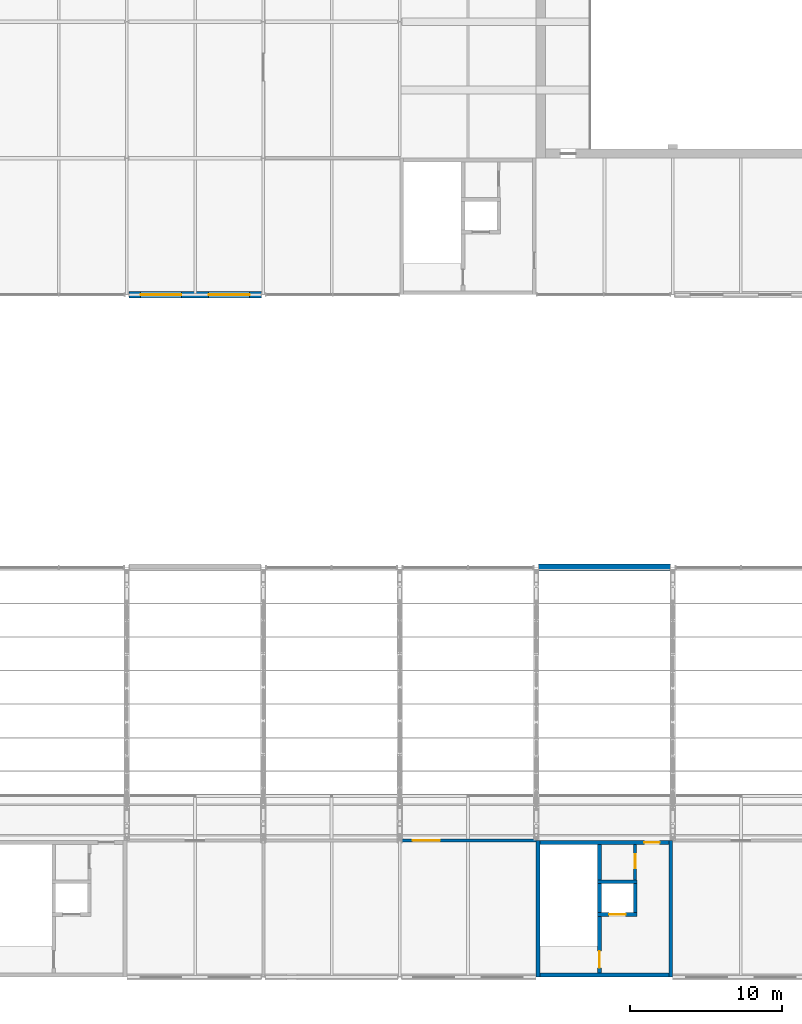
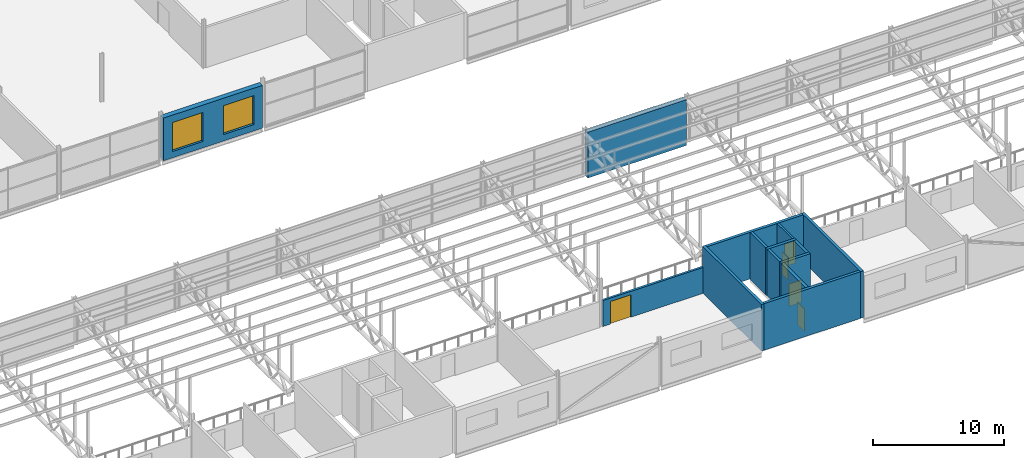
# One storey, part 116 of 138: 12 walls, 5 doors, 2 windows, 7 openings.
"""IFC4 building model written with IfcOpenShell, lengths in metres."""

from ifc_helpers import new_model, si_unit, direction, frame, frame_2d, origin, place, context, subcontext, project, spatial, rectangle, extrude, material, layer, layer_set, type_object, element, fill, save


model = new_model("IFC4")

# Units and contexts
model_context = context("Model", 3, precision=1e-05, world=origin(), true_north=direction((0.0, 1.0)))
body_context = subcontext(model_context, "Body", "Model", "MODEL_VIEW")
ifc_project = project(units=[si_unit("LENGTHUNIT", "METRE"), si_unit("AREAUNIT", "SQUARE_METRE"), si_unit("VOLUMEUNIT", "CUBIC_METRE"), si_unit("PLANEANGLEUNIT", "RADIAN"), si_unit("MASSUNIT", "GRAM", prefix="KILO")], contexts=[model_context])

# Site, building, storey
site_placement = place(None, origin())
site = spatial("IfcSite", under=ifc_project, at=site_placement, CompositionType="ELEMENT")
building_placement = place(site_placement, origin())
building = spatial("IfcBuilding", under=site, at=building_placement, Name="Corbel Yard City Hall", CompositionType="ELEMENT")
storey_placement = place(building_placement, frame((0.0, 0.0, 10.5)))
storey = spatial("IfcBuildingStorey", under=building, at=storey_placement, Name="L02", CompositionType="ELEMENT", Elevation=10.5)

# Walls
ifc_material_1 = material(Name="Concrete N50 (50 MPa)", Category="concrete")
ifc_layer_1 = layer(ifc_material_1, 0.25)
ifc_layer_set_1 = layer_set([ifc_layer_1], Name="Concrete N50 (50 MPa)")
wall_type_1 = type_object("IfcWallType", Name="Core cell wall 250", PredefinedType="SHEAR", material=ifc_layer_set_1)
for number, where, z_axis, x_axis, name in (
    (1, (117.125, 0.0, 0.0), (0.0, 0.0, 1.0), (0.0, 1.0, 0.0), "Core PC-S3 west wall"),
    (2, (125.875, 0.0, 0.0), (0.0, 0.0, 1.0), (0.0, 1.0, 0.0), "Core PC-S3 east wall"),
):
    element("IfcWall", number, at=place(storey_placement, frame(where, z_axis=z_axis, x_axis=x_axis)), inside=storey, type_object=wall_type_1, Name=name, PredefinedType="SHEAR", context=body_context, shape_type="SweptSolid", body=[
        extrude(rectangle(XDim=9.0, YDim=0.25, at=frame_2d((4.5, 0.0))), origin(), (0.0, 0.0, 1.0), 4.35009765625),
    ])
wall_1_placement = place(storey_placement, frame((117.25, 0.125, 0.0), z_axis=(0.0, 0.0, 1.0), x_axis=(1.0, 0.0, 0.0)))
element("IfcWall", 3, at=wall_1_placement, inside=storey, type_object=wall_type_1, Name="Core PC-S3 south wall", PredefinedType="SHEAR", context=body_context, shape_type="SweptSolid", body=[
    extrude(rectangle(XDim=8.5, YDim=0.25, at=frame_2d((4.25, 0.0))), origin(), (0.0, 0.0, 1.0), 4.35009765625),
])

# Wall, opening, door
wall_2_placement = place(storey_placement, frame((117.25, 8.875, 0.0), z_axis=(0.0, 0.0, 1.0), x_axis=(1.0, 0.0, 0.0)))
wall_2 = element("IfcWall", 4, at=wall_2_placement, inside=storey, type_object=wall_type_1, Name="Core PC-S3 north wall", PredefinedType="SHEAR", context=body_context, shape_type="SweptSolid", body=[
    extrude(rectangle(XDim=8.5, YDim=0.25, at=frame_2d((4.25, 0.0))), origin(), (0.0, 0.0, 1.0), 4.35009765625),
])
opening_1_placement = place(wall_2_placement, frame((6.887451171875, 0.0, 0.0)))
opening_1 = element("IfcOpeningElement", 5, at=opening_1_placement, cuts=wall_2, Name="Opening L02-024", PredefinedType="OPENING", context=body_context, shape_type="SweptSolid", body=[
    extrude(rectangle(XDim=1.0, YDim=2.10009765625, at=frame_2d((0.5, 1.050048828125))), frame((0.0, 0.135009765625, 0.0), z_axis=(0.0, -1.0, 0.0), x_axis=(1.0, 0.0, 0.0)), (0.0, 0.0, 1.0), 0.27001953125),
])
ifc_material_2 = material(Name="Steel Grade G250", Category="steel")
door_type_1 = type_object("IfcDoorType", Name="FS1", OperationType="SINGLE_SWING_LEFT", PredefinedType="DOOR", material=ifc_material_2)
door_1_placement = place(opening_1_placement, frame((1.0, 0.0, 0.0), z_axis=(0.0, 0.0, 1.0), x_axis=(-1.0, 0.0, 0.0)))
door_1 = element("IfcDoor", 6, at=door_1_placement, inside=storey, type_object=door_type_1, Name="Door Lift Lobby", OperationType="SINGLE_SWING_RIGHT", OverallHeight=2.10009765625, OverallWidth=1.0, PredefinedType="DOOR", context=body_context, shape_type="SweptSolid", body=[
    extrude(rectangle(XDim=1.0, YDim=2.10009765625, at=frame_2d((0.5, 1.050048828125))), frame((0.0, 0.02490234375, 0.0), z_axis=(0.0, -1.0, 0.0), x_axis=(1.0, 0.0, 0.0)), (0.0, 0.0, 1.0), 0.050048828125),
])
fill(opening_1, door_1)

# Wall
ifc_material_3 = material(Name="Sandstone cladding", Category="masonry")
ifc_layer_2 = layer(ifc_material_3, 0.06005859375)
ifc_material_4 = material(Name="Air cavity", Category="air")
ifc_layer_3 = layer(ifc_material_4, 0.0400390625)
ifc_material_5 = material(Name="Concrete N40 (40 MPa)", Category="concrete")
ifc_layer_4 = layer(ifc_material_5, 0.25)
ifc_material_6 = material(Name="Mineral wool", Category="insulation")
ifc_layer_5 = layer(ifc_material_6, 0.10009765625)
ifc_layer_set_2 = layer_set([ifc_layer_2, ifc_layer_3, ifc_layer_4, ifc_layer_5], Name="Concrete N40 (40 MPa)")
wall_type_2 = type_object("IfcWallType", Name="EW2", PredefinedType="SOLIDWALL", material=ifc_layer_set_2)
wall_3_placement = place(storey_placement, frame((117.154052734375, 27.0, -0.14990234375), z_axis=(0.0, 0.0, 1.0), x_axis=(1.0, 0.0, 0.0)))
element("IfcWall", 7, at=wall_3_placement, inside=storey, type_object=wall_type_2, Name="Entrance pier wall", PredefinedType="SOLIDWALL", context=body_context, shape_type="SweptSolid", body=[
    extrude(rectangle(XDim=8.69189453125, YDim=0.449951171875, at=frame_2d((4.345947265625, 0.0))), origin(), (0.0, 0.0, 1.0), 4.271484375),
])

# Wall, openings, windows
wall_4_placement = place(storey_placement, frame((90.126953125, 45.0, 0.0), z_axis=(0.0, 0.0, 1.0), x_axis=(1.0, 0.0, 0.0)))
wall_4 = element("IfcWall", 8, at=wall_4_placement, inside=storey, type_object=wall_type_2, Name="Entrance pier wall", PredefinedType="SOLIDWALL", context=body_context, shape_type="SweptSolid", body=[
    extrude(rectangle(XDim=8.74609375, YDim=0.449951171875, at=frame_2d((4.373046875, 0.0))), origin(), (0.0, 0.0, 1.0), 3.990966796875),
])
opening_2_placement = place(wall_4_placement, frame((0.77294921875, 0.0, 0.60009765625)))
opening_2 = element("IfcOpeningElement", 9, at=opening_2_placement, cuts=wall_4, Name="Opening WN18", PredefinedType="OPENING", context=body_context, shape_type="SweptSolid", body=[
    extrude(rectangle(XDim=2.699951171875, YDim=2.699951171875, at=frame_2d((1.35009765625, 1.35009765625))), frame((0.0, 0.23486328125, 0.0), z_axis=(0.0, -1.0, 0.0), x_axis=(1.0, 0.0, 0.0)), (0.0, 0.0, 1.0), 0.469970703125),
])
opening_3_placement = place(wall_4_placement, frame((5.27294921875, 0.0, 0.60009765625)))
opening_3 = element("IfcOpeningElement", 10, at=opening_3_placement, cuts=wall_4, Name="Opening WN18", PredefinedType="OPENING", context=body_context, shape_type="SweptSolid", body=[
    extrude(rectangle(XDim=2.699951171875, YDim=2.699951171875, at=frame_2d((1.35009765625, 1.35009765625))), frame((0.0, 0.23486328125, 0.0), z_axis=(0.0, -1.0, 0.0), x_axis=(1.0, 0.0, 0.0)), (0.0, 0.0, 1.0), 0.469970703125),
])
ifc_material_7 = material(Name="Aluminium frame, double glazed low-e glass", Category="aluminium")
window_type = type_object("IfcWindowType", Name="WN18", PartitioningType="SINGLE_PANEL", PredefinedType="WINDOW", material=ifc_material_7)
window_1_placement = place(opening_2_placement, origin())
window_1 = element("IfcWindow", 11, at=window_1_placement, inside=storey, type_object=window_type, Name="Window WN18 L02", OverallHeight=2.699951171875, OverallWidth=2.699951171875, PartitioningType="SINGLE_PANEL", PredefinedType="WINDOW", context=body_context, shape_type="SweptSolid", body=[
    extrude(rectangle(XDim=2.699951171875, YDim=2.699951171875, at=frame_2d((1.35009765625, 1.35009765625))), frame((0.0, 0.030029296875, 0.0), z_axis=(0.0, -1.0, 0.0), x_axis=(1.0, 0.0, 0.0)), (0.0, 0.0, 1.0), 0.06005859375),
])
fill(opening_2, window_1)
window_2_placement = place(opening_3_placement, origin())
window_2 = element("IfcWindow", 12, at=window_2_placement, inside=storey, type_object=window_type, Name="Window WN18 L02", OverallHeight=2.699951171875, OverallWidth=2.699951171875, PartitioningType="SINGLE_PANEL", PredefinedType="WINDOW", context=body_context, shape_type="SweptSolid", body=[
    extrude(rectangle(XDim=2.699951171875, YDim=2.699951171875, at=frame_2d((1.35009765625, 1.35009765625))), frame((0.0, 0.030029296875, 0.0), z_axis=(0.0, -1.0, 0.0), x_axis=(1.0, 0.0, 0.0)), (0.0, 0.0, 1.0), 0.06005859375),
])
fill(opening_3, window_2)

# Wall, opening, door
ifc_layer_6 = layer(ifc_material_5, 0.25)
ifc_layer_set_3 = layer_set([ifc_layer_6], Name="Concrete N40 (40 MPa)")
wall_type_3 = type_object("IfcWallType", Name="IW2", PredefinedType="SOLIDWALL", material=ifc_layer_set_3)
wall_5_placement = place(storey_placement, frame((121.175048828125, 0.25, 0.0), z_axis=(0.0, 0.0, 1.0), x_axis=(0.0, 1.0, 0.0)))
wall_5 = element("IfcWall", 13, at=wall_5_placement, inside=storey, type_object=wall_type_3, Name="Stair enclosure wall", PredefinedType="SOLIDWALL", context=body_context, shape_type="SweptSolid", body=[
    extrude(rectangle(XDim=8.5, YDim=0.25, at=frame_2d((4.25, 0.0))), origin(), (0.0, 0.0, 1.0), 4.35009765625),
])
opening_4_placement = place(wall_5_placement, frame((0.35009765625, 0.0, 0.0)))
opening_4 = element("IfcOpeningElement", 14, at=opening_4_placement, cuts=wall_5, Name="Opening L02-023", PredefinedType="OPENING", context=body_context, shape_type="SweptSolid", body=[
    extrude(rectangle(XDim=1.10009765625, YDim=2.10009765625, at=frame_2d((0.550048828125, 1.050048828125))), frame((0.0, 0.135009765625, 0.0), z_axis=(0.0, -1.0, 0.0), x_axis=(1.0, 0.0, 0.0)), (0.0, 0.0, 1.0), 0.27001953125),
])
door_type_2 = type_object("IfcDoorType", Name="FS11", OperationType="SINGLE_SWING_LEFT", PredefinedType="DOOR", material=ifc_material_2)
door_2_placement = place(opening_4_placement, origin())
door_2 = element("IfcDoor", 15, at=door_2_placement, inside=storey, type_object=door_type_2, Name="Door Exit Stair 4", OperationType="SINGLE_SWING_LEFT", OverallHeight=2.10009765625, OverallWidth=1.10009765625, PredefinedType="DOOR", context=body_context, shape_type="SweptSolid", body=[
    extrude(rectangle(XDim=1.10009765625, YDim=2.10009765625, at=frame_2d((0.550048828125, 1.050048828125))), frame((0.0, 0.02490234375, 0.0), z_axis=(0.0, -1.0, 0.0), x_axis=(1.0, 0.0, 0.0)), (0.0, 0.0, 1.0), 0.050048828125),
])
fill(opening_4, door_2)

wall_6_placement = place(storey_placement, frame((121.050048828125, 4.125, 0.0), z_axis=(0.0, 0.0, 1.0), x_axis=(1.0, 0.0, 0.0)))
wall_6 = element("IfcWall", 16, at=wall_6_placement, inside=storey, type_object=wall_type_3, Name="Lift LP4 shaft wall", PredefinedType="SOLIDWALL", context=body_context, shape_type="SweptSolid", body=[
    extrude(rectangle(XDim=2.599853515625, YDim=0.25, at=frame_2d((1.2998046875, 0.0))), origin(), (0.0, 0.0, 1.0), 4.35009765625),
])
opening_5_placement = place(wall_6_placement, frame((0.75, 0.0, 0.0)))
opening_5 = element("IfcOpeningElement", 17, at=opening_5_placement, cuts=wall_6, Name="Opening L02-004", PredefinedType="OPENING", context=body_context, shape_type="SweptSolid", body=[
    extrude(rectangle(XDim=1.10009765625, YDim=2.10009765625, at=frame_2d((0.550048828125, 1.050048828125))), frame((0.0, 0.135009765625, 0.0), z_axis=(0.0, -1.0, 0.0), x_axis=(1.0, 0.0, 0.0)), (0.0, 0.0, 1.0), 0.27001953125),
])
ifc_material_8 = material(Name="Stainless steel Grade 316", Category="steel")
door_type_3 = type_object("IfcDoorType", Name="LD1", OperationType="DOUBLE_DOOR_SLIDING", PredefinedType="DOOR", material=ifc_material_8)
door_3_placement = place(opening_5_placement, origin())
door_3 = element("IfcDoor", 18, at=door_3_placement, inside=storey, type_object=door_type_3, Name="Lift LP4 landing door", OperationType="DOUBLE_DOOR_SLIDING", OverallHeight=2.10009765625, OverallWidth=1.10009765625, PredefinedType="DOOR", context=body_context, shape_type="SweptSolid", body=[
    extrude(rectangle(XDim=1.10009765625, YDim=2.10009765625, at=frame_2d((0.550048828125, 1.050048828125))), frame((0.0, 0.02490234375, 0.0), z_axis=(0.0, -1.0, 0.0), x_axis=(1.0, 0.0, 0.0)), (0.0, 0.0, 1.0), 0.050048828125),
])
fill(opening_5, door_3)

# Walls
wall_7_placement = place(storey_placement, frame((121.050048828125, 6.27490234375, 0.0), z_axis=(0.0, 0.0, 1.0), x_axis=(1.0, 0.0, 0.0)))
element("IfcWall", 19, at=wall_7_placement, inside=storey, type_object=wall_type_3, Name="Lift LP4 shaft wall", PredefinedType="SOLIDWALL", context=body_context, shape_type="SweptSolid", body=[
    extrude(rectangle(XDim=2.599853515625, YDim=0.25, at=frame_2d((1.2998046875, 0.0))), origin(), (0.0, 0.0, 1.0), 4.35009765625),
])
wall_8_placement = place(storey_placement, frame((123.52490234375, 4.25, 0.0), z_axis=(0.0, 0.0, 1.0), x_axis=(0.0, 1.0, 0.0)))
element("IfcWall", 20, at=wall_8_placement, inside=storey, type_object=wall_type_3, Name="Lift LP4 shaft wall", PredefinedType="SOLIDWALL", context=body_context, shape_type="SweptSolid", body=[
    extrude(rectangle(XDim=1.89990234375, YDim=0.25, at=frame_2d((0.949951171875, 0.0))), origin(), (0.0, 0.0, 1.0), 4.35009765625),
])

# Wall, opening, door
ifc_material_9 = material(Name="Gypsum plasterboard", Category="gypsum")
ifc_layer_7 = layer(ifc_material_9, 0.031982421875)
ifc_material_10 = material(Name="Steel Grade G550 (550 MPa yield)", Category="steel")
ifc_layer_8 = layer(ifc_material_10, 0.135986328125)
ifc_layer_9 = layer(ifc_material_9, 0.031982421875)
ifc_layer_set_4 = layer_set([ifc_layer_7, ifc_layer_8, ifc_layer_9], Name="Steel Grade G550 (550 MPa yield)")
wall_type_4 = type_object("IfcWallType", Name="PT2", PredefinedType="PARTITIONING", material=ifc_layer_set_4)
wall_9_placement = place(storey_placement, frame((108.154052734375, 9.0, 0.0), z_axis=(0.0, 0.0, 1.0), x_axis=(1.0, 0.0, 0.0)))
wall_9 = element("IfcWall", 21, at=wall_9_placement, inside=storey, type_object=wall_type_4, Name="Acoustic wall", PredefinedType="PARTITIONING", context=body_context, shape_type="SweptSolid", body=[
    extrude(rectangle(XDim=8.845947265625, YDim=0.199951171875, at=frame_2d((4.4228515625, 0.0))), origin(), (0.0, 0.0, 1.0), 2.414306640625),
])
opening_6_placement = place(wall_9_placement, frame((0.696044921875, 0.0, 0.0)))
opening_6 = element("IfcOpeningElement", 22, at=opening_6_placement, cuts=wall_9, Name="Opening L02-036", PredefinedType="OPENING", context=body_context, shape_type="SweptSolid", body=[
    extrude(rectangle(XDim=1.800048828125, YDim=2.10009765625, at=frame_2d((0.89990234375, 1.050048828125))), frame((0.0, 0.10986328125, 0.0), z_axis=(0.0, -1.0, 0.0), x_axis=(1.0, 0.0, 0.0)), (0.0, 0.0, 1.0), 0.219970703125),
])
ifc_material_11 = material(Name="Timber", Category="wood")
door_type_4 = type_object("IfcDoorType", Name="D3", OperationType="DOUBLE_DOOR_SINGLE_SWING", PredefinedType="DOOR", material=ifc_material_11)
door_4_placement = place(opening_6_placement, origin())
door_4 = element("IfcDoor", 23, at=door_4_placement, inside=storey, type_object=door_type_4, Name="Door Training Room 3", OperationType="DOUBLE_DOOR_SINGLE_SWING", OverallHeight=2.10009765625, OverallWidth=1.800048828125, PredefinedType="DOOR", context=body_context, shape_type="SweptSolid", body=[
    extrude(rectangle(XDim=1.800048828125, YDim=2.10009765625, at=frame_2d((0.89990234375, 1.050048828125))), frame((0.0, 0.02490234375, 0.0), z_axis=(0.0, -1.0, 0.0), x_axis=(1.0, 0.0, 0.0)), (0.0, 0.0, 1.0), 0.050048828125),
])
fill(opening_6, door_4)

ifc_material_12 = material(Name="Concrete block", Category="concrete")
ifc_layer_10 = layer(ifc_material_12, 0.18994140625)
ifc_layer_set_5 = layer_set([ifc_layer_10], Name="Concrete block")
wall_type_5 = type_object("IfcWallType", Name="PT4", PredefinedType="PARTITIONING", material=ifc_layer_set_5)
wall_10_placement = place(storey_placement, frame((123.52490234375, 6.39990234375, 0.0), z_axis=(0.0, 0.0, 1.0), x_axis=(0.0, 1.0, 0.0)))
wall_10 = element("IfcWall", 24, at=wall_10_placement, inside=storey, type_object=wall_type_5, Name="Fire-resisting block wall", PredefinedType="PARTITIONING", context=body_context, shape_type="SweptSolid", body=[
    extrude(rectangle(XDim=2.35009765625, YDim=0.18994140625, at=frame_2d((1.175048828125, 0.0))), origin(), (0.0, 0.0, 1.0), 4.35009765625),
])
opening_7_placement = place(wall_10_placement, frame((0.777587890625, 0.0, 0.0)))
opening_7 = element("IfcOpeningElement", 25, at=opening_7_placement, cuts=wall_10, Name="Opening L02-025", PredefinedType="OPENING", context=body_context, shape_type="SweptSolid", body=[
    extrude(rectangle(XDim=0.919921875, YDim=2.10009765625, at=frame_2d((0.4599609375, 1.050048828125))), frame((0.0, 0.10498046875, 0.0), z_axis=(0.0, -1.0, 0.0), x_axis=(1.0, 0.0, 0.0)), (0.0, 0.0, 1.0), 0.2099609375),
])
door_type_5 = type_object("IfcDoorType", Name="FS5", OperationType="SINGLE_SWING_RIGHT", PredefinedType="DOOR", material=ifc_material_2)
door_5_placement = place(opening_7_placement, origin())
door_5 = element("IfcDoor", 26, at=door_5_placement, inside=storey, type_object=door_type_5, Name="Door Service Riser", OperationType="SINGLE_SWING_RIGHT", OverallHeight=2.10009765625, OverallWidth=0.919921875, PredefinedType="DOOR", context=body_context, shape_type="SweptSolid", body=[
    extrude(rectangle(XDim=0.919921875, YDim=2.10009765625, at=frame_2d((0.4599609375, 1.050048828125))), frame((0.0, 0.02490234375, 0.0), z_axis=(0.0, -1.0, 0.0), x_axis=(1.0, 0.0, 0.0)), (0.0, 0.0, 1.0), 0.050048828125),
])
fill(opening_7, door_5)

save(model, "model.ifc")
